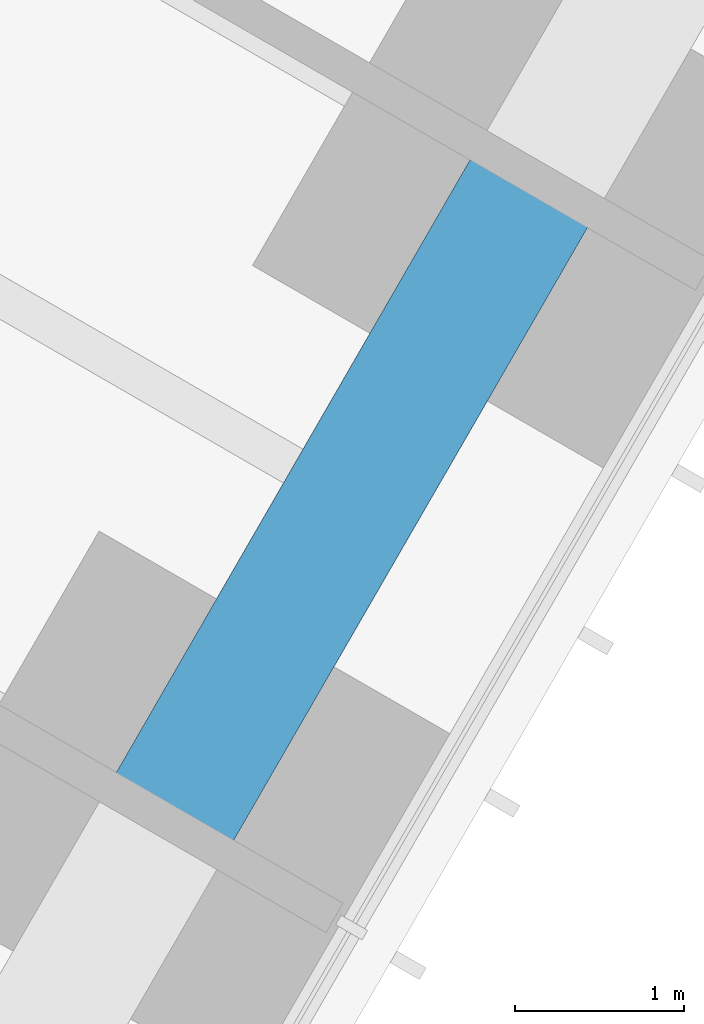
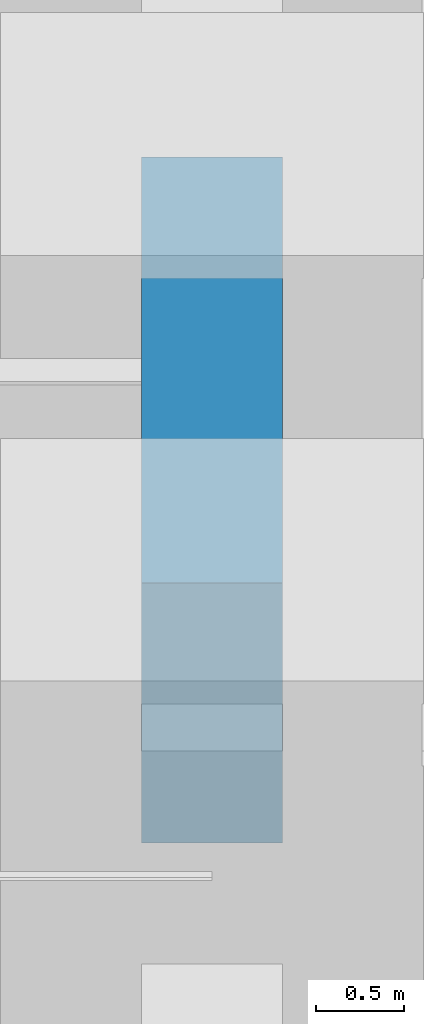
# One storey, part 109 of 256: 1 beam.
"""IFC4 building model written with IfcOpenShell, lengths in metres."""

from ifc_helpers import new_model, si_unit, direction, frame, origin, origin_2d, place, context, subcontext, project, spatial, rectangle, extrude, material, material_profile, profile_set, type_object, element, save


model = new_model("IFC4")

# Units and contexts
model_context = context("Model", 3, precision=1e-05, world=origin(), true_north=direction((0.0, 1.0)))
body_context = subcontext(model_context, "Body", "Model", "MODEL_VIEW")
ifc_project = project(units=[si_unit("LENGTHUNIT", "METRE"), si_unit("AREAUNIT", "SQUARE_METRE"), si_unit("VOLUMEUNIT", "CUBIC_METRE"), si_unit("PLANEANGLEUNIT", "RADIAN"), si_unit("MASSUNIT", "GRAM", prefix="KILO")], contexts=[model_context])

# Site, building, storey
site_placement = place(None, origin())
site = spatial("IfcSite", under=ifc_project, at=site_placement, CompositionType="ELEMENT")
building_placement = place(site_placement, origin())
building = spatial("IfcBuilding", under=site, at=building_placement, Name="Sandreach Pilgrim Tower", CompositionType="ELEMENT")
storey_placement = place(building_placement, frame((0.0, 0.0, 23.0)))
storey = spatial("IfcBuildingStorey", under=building, at=storey_placement, Name="L04", CompositionType="ELEMENT", Elevation=23.0)

# Beam
ifc_material = material(Name="Concrete 10000 psi", Category="concrete")
ifc_material_profile = material_profile(ifc_material, rectangle(XDim=0.800048828125, YDim=1.800048828125, at=origin_2d()), Name="RC800X1800")
ifc_profile_set = profile_set([ifc_material_profile], Name="Concrete 10000 psi")
beam_type = type_object("IfcBeamType", Name="Spandrel beam RC800X1800", PredefinedType="SPANDREL", material=ifc_profile_set)
beam_placement = place(storey_placement, frame((20.701416015625, -9.521484375, 2.739990234375), z_axis=(-0.50001863446, -0.866014644907, 0.0), x_axis=(0.866014644907, -0.50001863446, 0.0)))
element("IfcBeam", 1, at=beam_placement, inside=storey, type_object=beam_type, Name="BM L04 SP17", PredefinedType="SPANDREL", context=body_context, shape_type="SweptSolid", body=[
    extrude(rectangle(XDim=0.800048828125, YDim=1.800048828125, at=origin_2d()), origin(), (0.0, 0.0, 1.0), 4.209716796875),
])

save(model, "model.ifc")
